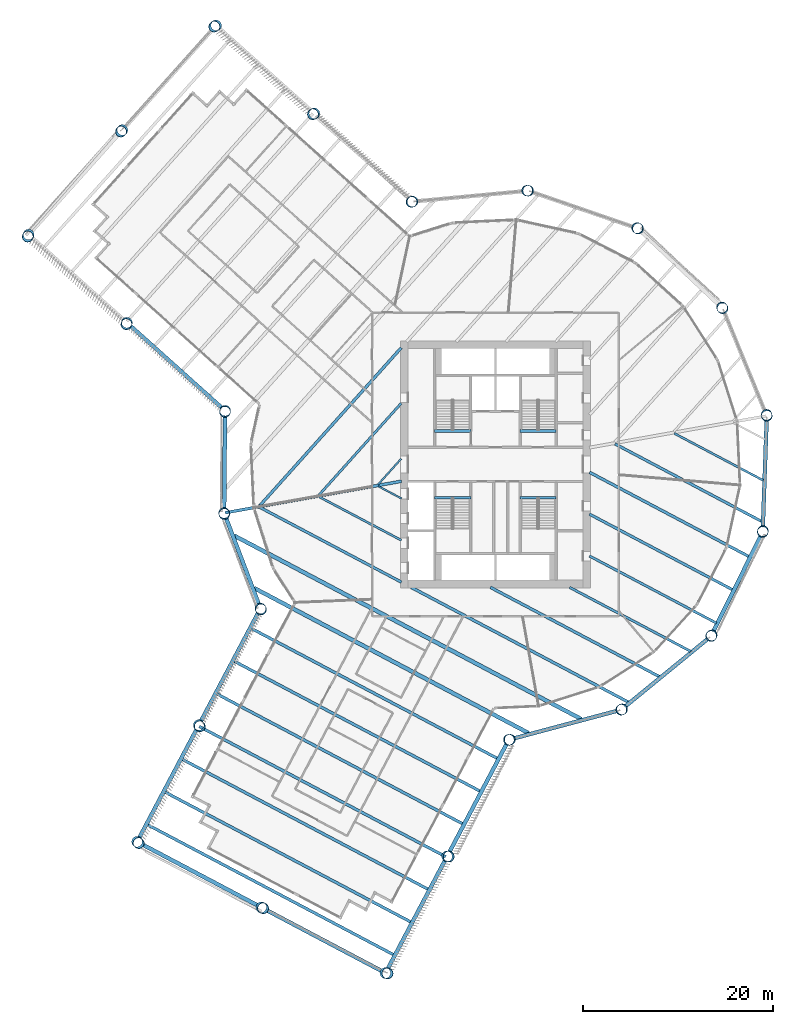
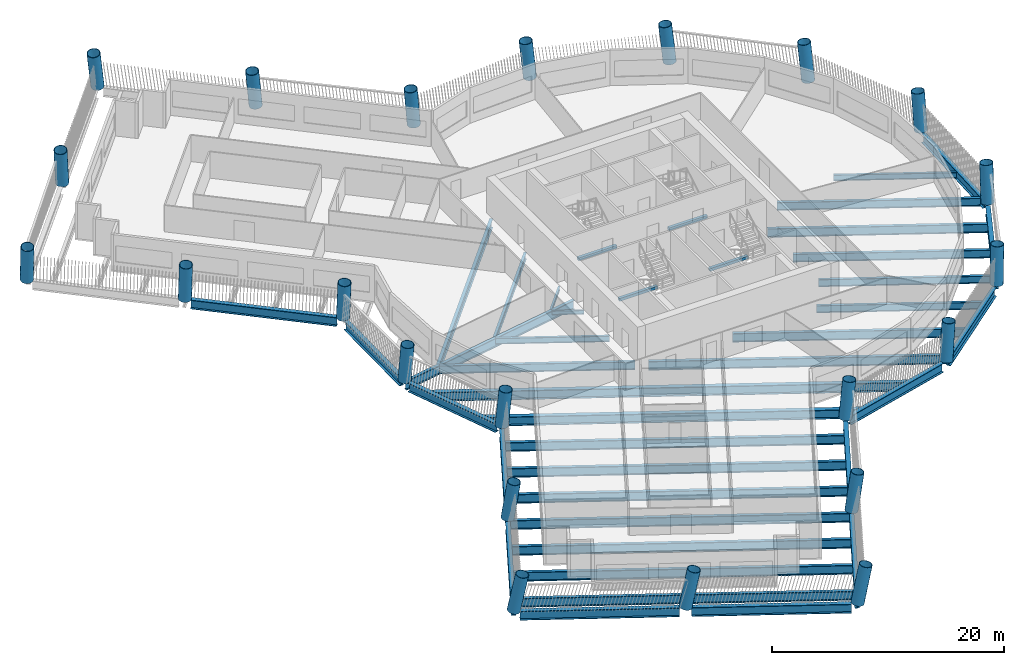
# One storey, part 1 of 16: 41 beams, 22 columns.
"""IFC4 building model written with IfcOpenShell, lengths in metres."""

from ifc_helpers import new_model, si_unit, direction, frame, origin, origin_2d, place, context, subcontext, project, spatial, rectangle, hollow_circle, i_section, extrude, material, material_profile, profile_set, type_object, element, save


model = new_model("IFC4")

# Units and contexts
model_context = context("Model", 3, precision=1e-05, world=origin(), true_north=direction((0.0, 1.0)))
body_context = subcontext(model_context, "Body", "Model", "MODEL_VIEW")
ifc_project = project(units=[si_unit("LENGTHUNIT", "METRE"), si_unit("AREAUNIT", "SQUARE_METRE"), si_unit("VOLUMEUNIT", "CUBIC_METRE"), si_unit("PLANEANGLEUNIT", "RADIAN"), si_unit("MASSUNIT", "GRAM", prefix="KILO")], contexts=[model_context])

# Site, building, storey
site_placement = place(None, origin())
site = spatial("IfcSite", under=ifc_project, at=site_placement, CompositionType="ELEMENT")
building_placement = place(site_placement, origin())
building = spatial("IfcBuilding", under=site, at=building_placement, Name="Tarsis Ring Headquarters", CompositionType="ELEMENT")
storey_placement = place(building_placement, frame((0.0, 0.0, 96.699951171875)))
storey = spatial("IfcBuildingStorey", under=building, at=storey_placement, Name="L21", CompositionType="ELEMENT", Elevation=96.699951171875)

# Columns
ifc_material_1 = material(Name="Structural steel S355", Category="steel")
ifc_material_profile_1 = material_profile(ifc_material_1, hollow_circle(Radius=0.584228515625, WallThickness=0.044921875, at=origin_2d()), Name="CHS 1168x45")
ifc_profile_set_1 = profile_set([ifc_material_profile_1], Name="Structural steel S355")
column_type = type_object("IfcColumnType", Name="XC Exo column CHS 1168x45", PredefinedType="COLUMN", material=ifc_profile_set_1)
for number, where, z_axis, x_axis, name in (
    (1, (-28.5947265625, -5.1142578125, 0.0009765625), (0.018443632446, -0.099196833966, 0.994896889408), (0.983150703769, 0.18279686452, 0.0), "Exo column XC3 F1"),
    (2, (-24.76513671875, -15.18212890625, 0.0009765625), (0.053274726029, -0.085675728993, 0.994897719883), (0.849210474947, 0.528054513512, 0.0), "Exo column XC3 AK"),
):
    element("IfcColumn", number, at=place(storey_placement, frame(where, z_axis=z_axis, x_axis=x_axis)), inside=storey, type_object=column_type, Name=name, PredefinedType="COLUMN", context=body_context, shape_type="SweptSolid", body=[
        extrude(hollow_circle(Radius=0.584228515625, WallThickness=0.044921875, at=origin_2d()), origin(), (0.0, 0.0, 1.0), 3.918212890625),
    ])
column_1_placement = place(storey_placement, frame((-31.261962890625, -27.47314453125, 0.001220703125), z_axis=(0.095644638438, -0.107360021889, 0.989608977747), x_axis=(0.746671522478, 0.665192932554, 0.0)))
element("IfcColumn", 3, at=column_1_placement, inside=storey, type_object=column_type, Name="Exo column XC3 AI1", PredefinedType="COLUMN", context=body_context, shape_type="SweptSolid", body=[
    extrude(hollow_circle(Radius=0.584228515625, WallThickness=0.044921875, at=origin_2d()), origin(), (0.0, 0.0, 1.0), 3.938720703125),
])
column_2_placement = place(storey_placement, frame((-37.758544921875, -39.763916015625, 0.00146484375), z_axis=(0.137206950223, -0.128531533191, 0.982167958033), x_axis=(0.683658036806, 0.729802499798, 0.0)))
element("IfcColumn", 4, at=column_2_placement, inside=storey, type_object=column_type, Name="Exo column XC3 AT1", PredefinedType="COLUMN", context=body_context, shape_type="SweptSolid", body=[
    extrude(hollow_circle(Radius=0.584228515625, WallThickness=0.044921875, at=origin_2d()), origin(), (0.0, 0.0, 1.0), 3.968017578125),
])
column_3_placement = place(storey_placement, frame((-24.673828125, -46.68017578125, 0.00146484375), z_axis=(0.160795601647, -0.083601391355, 0.983440685478), x_axis=(0.461299218726, 0.8872446285, 0.0)))
element("IfcColumn", 5, at=column_3_placement, inside=storey, type_object=column_type, Name="Exo column XC3 AT2", PredefinedType="COLUMN", context=body_context, shape_type="SweptSolid", body=[
    extrude(hollow_circle(Radius=0.584228515625, WallThickness=0.044921875, at=origin_2d()), origin(), (0.0, 0.0, 1.0), 3.962890625),
])
column_4_placement = place(storey_placement, frame((-11.58935546875, -53.596435546875, 0.00146484375), z_axis=(0.184029631143, -0.038454871101, 0.982168171827), x_axis=(0.20454231902, 0.978857721903, 0.0)))
element("IfcColumn", 6, at=column_4_placement, inside=storey, type_object=column_type, Name="Exo column XC3 AT3", PredefinedType="COLUMN", context=body_context, shape_type="SweptSolid", body=[
    extrude(hollow_circle(Radius=0.584228515625, WallThickness=0.044921875, at=origin_2d()), origin(), (0.0, 0.0, 1.0), 3.968017578125),
])
column_5_placement = place(storey_placement, frame((-5.0927734375, -41.305419921875, 0.001220703125), z_axis=(0.142816221823, -0.01661230358, 0.989609800959), x_axis=(0.115540427353, 0.993302778435, 0.0)))
element("IfcColumn", 7, at=column_5_placement, inside=storey, type_object=column_type, Name="Exo column XC3 AO1", PredefinedType="COLUMN", context=body_context, shape_type="SweptSolid", body=[
    extrude(hollow_circle(Radius=0.584228515625, WallThickness=0.044921875, at=origin_2d()), origin(), (0.0, 0.0, 1.0), 3.938720703125),
])
for number, where, z_axis, x_axis, name in (
    (8, (1.40380859375, -29.0146484375, 0.0009765625), (0.100754434521, 0.005607853498, 0.994895520094), (-0.055572614926, 0.998454648179, 0.0), "Exo column XC3 AJ"),
    (9, (13.238525390625, -25.8564453125, 0.0009765625), (0.08953843482, 0.046607341159, 0.994892267756), (-0.461721973504, 0.887024700436, 0.0), "Exo column XC3 R1"),
    (10, (22.719482421875, -18.100830078125, 0.0009765625), (0.062309756681, 0.079320320255, 0.994899884922), (-0.786382641851, 0.617739702946, 0.0), "Exo column XC3 R2"),
    (11, (28.16064453125, -7.126953125, 0.0009765625), (0.024113855988, 0.09795085688, 0.994899066029), (-0.971008261935, 0.23904592708, 0.0), "Exo column XC3 R3"),
    (12, (28.5947265625, 5.1142578125, 0.0009765625), (-0.018443632446, 0.099196833966, 0.994896889408), (-0.983150703769, -0.18279686452, 0.0), "Exo column XC3 R4"),
    (13, (23.944580078125, 16.446044921875, 0.0009765625), (-0.05769877521, 0.082747271576, 0.994898859375), (-0.820275223192, -0.571969018581, 0.0), "Exo column XC3 R5"),
    (14, (15.037109375, 24.853759765625, 0.0009765625), (-0.086672882311, 0.051592484942, 0.994900008528), (-0.51149472008, -0.859286419845, 0.0), "Exo column XC3 R6"),
    (15, (3.455810546875, 28.84228515625, 0.0009765625), (-0.100256181885, 0.011278041592, 0.994897735334), (-0.111787149444, -0.993732173787, 0.0), "Exo column XC3 R7"),
    (16, (-8.739990234375, 27.702392578125, 0.0009765625), (-0.096019118638, -0.030967879275, 0.994897642629), (0.306948644581, -0.951726079074, 0.0), "Exo column XC3 BJ"),
):
    element("IfcColumn", number, at=place(storey_placement, frame(where, z_axis=z_axis, x_axis=x_axis)), inside=storey, type_object=column_type, Name=name, PredefinedType="COLUMN", context=body_context, shape_type="SweptSolid", body=[
        extrude(hollow_circle(Radius=0.584228515625, WallThickness=0.044921875, at=origin_2d()), origin(), (0.0, 0.0, 1.0), 3.918212890625),
    ])
column_6_placement = place(storey_placement, frame((-19.093994140625, 36.9794921875, 0.001220703125), z_axis=(-0.127319484081, -0.066821034002, 0.989608356062), x_axis=(0.46471561424, -0.885459992253, 0.0)))
element("IfcColumn", 17, at=column_6_placement, inside=storey, type_object=column_type, Name="Exo column XC3 BO1", PredefinedType="COLUMN", context=body_context, shape_type="SweptSolid", body=[
    extrude(hollow_circle(Radius=0.584228515625, WallThickness=0.044921875, at=origin_2d()), origin(), (0.0, 0.0, 1.0), 3.938720703125),
])
column_7_placement = place(storey_placement, frame((-29.4482421875, 46.256591796875, 0.00146484375), z_axis=(-0.15788133068, -0.10201373588, 0.982174466739), x_axis=(0.542708280666, -0.839921259462, 0.0)))
element("IfcColumn", 18, at=column_7_placement, inside=storey, type_object=column_type, Name="Exo column XC3 BT3", PredefinedType="COLUMN", context=body_context, shape_type="SweptSolid", body=[
    extrude(hollow_circle(Radius=0.584228515625, WallThickness=0.044921875, at=origin_2d()), origin(), (0.0, 0.0, 1.0), 3.968017578125),
])
column_8_placement = place(storey_placement, frame((-39.324462890625, 35.23388671875, 0.00146484375), z_axis=(-0.120011709795, -0.135783269194, 0.983442979191), x_axis=(0.749282006799, -0.662251065901, 0.0)))
element("IfcColumn", 19, at=column_8_placement, inside=storey, type_object=column_type, Name="Exo column XC3 BT2", PredefinedType="COLUMN", context=body_context, shape_type="SweptSolid", body=[
    extrude(hollow_circle(Radius=0.584228515625, WallThickness=0.044921875, at=origin_2d()), origin(), (0.0, 0.0, 1.0), 3.962890625),
])
column_9_placement = place(storey_placement, frame((-49.20068359375, 24.211181640625, 0.00146484375), z_axis=(-0.081831935499, -0.169262898165, 0.982167809306), x_axis=(0.900304069884, -0.435261509613, 0.0)))
element("IfcColumn", 20, at=column_9_placement, inside=storey, type_object=column_type, Name="Exo column XC3 BT1", PredefinedType="COLUMN", context=body_context, shape_type="SweptSolid", body=[
    extrude(hollow_circle(Radius=0.584228515625, WallThickness=0.044921875, at=origin_2d()), origin(), (0.0, 0.0, 1.0), 3.968017578125),
])
column_10_placement = place(storey_placement, frame((-38.846435546875, 14.93408203125, 0.001220703125), z_axis=(-0.050704933508, -0.134510642681, 0.989614014009), x_axis=(0.935725286719, -0.35272962421, 0.0)))
element("IfcColumn", 21, at=column_10_placement, inside=storey, type_object=column_type, Name="Exo column XC3 BI1", PredefinedType="COLUMN", context=body_context, shape_type="SweptSolid", body=[
    extrude(hollow_circle(Radius=0.584228515625, WallThickness=0.044921875, at=origin_2d()), origin(), (0.0, 0.0, 1.0), 3.938720703125),
])
column_11_placement = place(storey_placement, frame((-28.492431640625, 5.656982421875, 0.0009765625), z_axis=(-0.018942166509, -0.099072515623, 0.994899910029), x_axis=(0.982208563973, -0.187793335502, 0.0)))
element("IfcColumn", 22, at=column_11_placement, inside=storey, type_object=column_type, Name="Exo column XC3 BK", PredefinedType="COLUMN", context=body_context, shape_type="SweptSolid", body=[
    extrude(hollow_circle(Radius=0.584228515625, WallThickness=0.044921875, at=origin_2d()), origin(), (0.0, 0.0, 1.0), 3.918212890625),
])

# Beams
ifc_material_profile_2 = material_profile(ifc_material_1, i_section(OverallWidth=0.177734375, OverallDepth=0.406494140625, WebThickness=0.0078125, FlangeThickness=0.0126953125, at=origin_2d()), Name="W16x40")
ifc_profile_set_2 = profile_set([ifc_material_profile_2], Name="Structural steel S355")
beam_type_1 = type_object("IfcBeamType", Name="FB Floor beam W16x40", PredefinedType="JOIST", material=ifc_profile_set_2)
beam_1_placement = place(storey_placement, frame((-12.33740234375, -2.30126953125, -0.363037109375), z_axis=(0.884090739008, -0.46731527388, 0.0), x_axis=(0.46731527388, 0.884090739008, 0.0)))
element("IfcBeam", 23, at=beam_1_placement, inside=storey, type_object=beam_type_1, Name="Floor beam FB1", PredefinedType="JOIST", context=body_context, shape_type="SweptSolid", body=[
    extrude(i_section(OverallWidth=0.177734375, OverallDepth=0.406494140625, WebThickness=0.0078125, FlangeThickness=0.0126953125, at=origin_2d()), origin(), (0.0, 0.0, 1.0), 2.743896484375),
])
beam_2_placement = place(storey_placement, frame((-9.933349609375, 0.602294921875, -0.363037109375), z_axis=(-0.667300865464, -0.744788261824, 0.0), x_axis=(0.744788261824, -0.667300865464, 0.0)))
element("IfcBeam", 24, at=beam_2_placement, inside=storey, type_object=beam_type_1, Name="Floor beam FB1", PredefinedType="JOIST", context=body_context, shape_type="SweptSolid", body=[
    extrude(i_section(OverallWidth=0.177734375, OverallDepth=0.406494140625, WebThickness=0.0078125, FlangeThickness=0.0126953125, at=origin_2d()), origin(), (0.0, 0.0, 1.0), 3.651611328125),
])
ifc_material_profile_3 = material_profile(ifc_material_1, i_section(OverallWidth=0.228271484375, OverallDepth=0.607177734375, WebThickness=0.01123046875, FlangeThickness=0.017333984375, at=origin_2d()), Name="W24x76")
ifc_profile_set_3 = profile_set([ifc_material_profile_3], Name="Structural steel S355")
beam_type_2 = type_object("IfcBeamType", Name="FB Floor beam W24x76", PredefinedType="JOIST", material=ifc_profile_set_3)
beam_3_placement = place(storey_placement, frame((18.84130859375, 3.27490234375, -0.463623046875), z_axis=(0.884094126299, -0.467308865573, 0.0), x_axis=(0.467308865573, 0.884094126299, 0.0)))
element("IfcBeam", 25, at=beam_3_placement, inside=storey, type_object=beam_type_2, Name="Floor beam FB4", PredefinedType="JOIST", context=body_context, shape_type="SweptSolid", body=[
    extrude(i_section(OverallWidth=0.228271484375, OverallDepth=0.607177734375, WebThickness=0.01123046875, FlangeThickness=0.017333984375, at=origin_2d()), origin(), (0.0, 0.0, 1.0), 10.62109375),
])
beam_4_placement = place(storey_placement, frame((-18.572998046875, -3.41650390625, -0.463623046875), z_axis=(0.884085968305, -0.467324299225, 0.0), x_axis=(0.467324299225, 0.884085968305, 0.0)))
element("IfcBeam", 26, at=beam_4_placement, inside=storey, type_object=beam_type_2, Name="Floor beam FB4", PredefinedType="JOIST", context=body_context, shape_type="SweptSolid", body=[
    extrude(i_section(OverallWidth=0.228271484375, OverallDepth=0.607177734375, WebThickness=0.01123046875, FlangeThickness=0.017333984375, at=origin_2d()), origin(), (0.0, 0.0, 1.0), 9.796875),
])
ifc_material_profile_4 = material_profile(ifc_material_1, i_section(OverallWidth=0.2529296875, OverallDepth=0.67822265625, WebThickness=0.01171875, FlangeThickness=0.016357421875, at=origin_2d()), Name="W27x84")
ifc_profile_set_4 = profile_set([ifc_material_profile_4], Name="Structural steel S355")
beam_type_3 = type_object("IfcBeamType", Name="FB Floor beam W27x84", PredefinedType="JOIST", material=ifc_profile_set_4)
beam_5_placement = place(storey_placement, frame((-9.933349609375, 6.446533203125, -0.4990234375), z_axis=(-0.667319100246, -0.744771923777, 0.0), x_axis=(0.744771923777, -0.667319100246, 0.0)))
element("IfcBeam", 27, at=beam_5_placement, inside=storey, type_object=beam_type_3, Name="Floor beam FB5", PredefinedType="JOIST", context=body_context, shape_type="SweptSolid", body=[
    extrude(i_section(OverallWidth=0.2529296875, OverallDepth=0.67822265625, WebThickness=0.01171875, FlangeThickness=0.016357421875, at=origin_2d()), origin(), (0.0, 0.0, 1.0), 12.99609375),
])
ifc_material_profile_5 = material_profile(ifc_material_1, i_section(OverallWidth=0.2666015625, OverallDepth=0.7568359375, WebThickness=0.013916015625, FlangeThickness=0.019287109375, at=origin_2d()), Name="W30x108")
ifc_profile_set_5 = profile_set([ifc_material_profile_5], Name="Structural steel S355")
beam_type_4 = type_object("IfcBeamType", Name="FB Floor beam W30x108", PredefinedType="JOIST", material=ifc_profile_set_5)
beam_6_placement = place(storey_placement, frame((9.91162109375, -9.650390625, -0.538330078125), z_axis=(0.884095226165, -0.46730678475, 0.0), x_axis=(0.46730678475, 0.884095226165, 0.0)))
element("IfcBeam", 28, at=beam_6_placement, inside=storey, type_object=beam_type_4, Name="Floor beam FB6", PredefinedType="JOIST", context=body_context, shape_type="SweptSolid", body=[
    extrude(i_section(OverallWidth=0.2666015625, OverallDepth=0.7568359375, WebThickness=0.013916015625, FlangeThickness=0.019287109375, at=origin_2d()), origin(), (0.0, 0.0, 1.0), 15.12158203125),
])
beam_7_placement = place(storey_placement, frame((7.814697265625, -12.953369140625, -0.538330078125), z_axis=(0.884091346634, -0.46731412434, 0.0), x_axis=(0.46731412434, 0.884091346634, 0.0)))
element("IfcBeam", 29, at=beam_7_placement, inside=storey, type_object=beam_type_4, Name="Floor beam FB6", PredefinedType="JOIST", context=body_context, shape_type="SweptSolid", body=[
    extrude(i_section(OverallWidth=0.2666015625, OverallDepth=0.7568359375, WebThickness=0.013916015625, FlangeThickness=0.019287109375, at=origin_2d()), origin(), (0.0, 0.0, 1.0), 14.434814453125),
])
ifc_material_profile_6 = material_profile(ifc_material_1, i_section(OverallWidth=0.2919921875, OverallDepth=0.835693359375, WebThickness=0.013916015625, FlangeThickness=0.018798828125, at=origin_2d()), Name="W33x118")
ifc_profile_set_6 = profile_set([ifc_material_profile_6], Name="Structural steel S355")
beam_type_5 = type_object("IfcBeamType", Name="FB Floor beam W33x118", PredefinedType="JOIST", material=ifc_profile_set_6)
beam_8_placement = place(storey_placement, frame((12.60546875, 2.15966796875, -0.577880859375), z_axis=(0.884090411853, -0.467315892807, 0.0), x_axis=(0.467315892807, 0.884090411853, 0.0)))
element("IfcBeam", 30, at=beam_8_placement, inside=storey, type_object=beam_type_5, Name="Floor beam FB7", PredefinedType="JOIST", context=body_context, shape_type="SweptSolid", body=[
    extrude(i_section(OverallWidth=0.2919921875, OverallDepth=0.835693359375, WebThickness=0.013916015625, FlangeThickness=0.018798828125, at=origin_2d()), origin(), (0.0, 0.0, 1.0), 17.5009765625),
])
beam_9_placement = place(storey_placement, frame((9.91162109375, -5.239013671875, -0.577880859375), z_axis=(0.8840912287, -0.467314347454, 0.0), x_axis=(0.467314347454, 0.8840912287, 0.0)))
element("IfcBeam", 31, at=beam_9_placement, inside=storey, type_object=beam_type_5, Name="Floor beam FB7", PredefinedType="JOIST", context=body_context, shape_type="SweptSolid", body=[
    extrude(i_section(OverallWidth=0.2919921875, OverallDepth=0.835693359375, WebThickness=0.013916015625, FlangeThickness=0.018798828125, at=origin_2d()), origin(), (0.0, 0.0, 1.0), 17.08203125),
])
beam_10_placement = place(storey_placement, frame((-24.808837890625, -4.53173828125, -0.577880859375), z_axis=(0.884088355677, -0.467319782757, 0.0), x_axis=(0.467319782757, 0.884088355677, 0.0)))
element("IfcBeam", 32, at=beam_10_placement, inside=storey, type_object=beam_type_5, Name="Floor beam FB7", PredefinedType="JOIST", context=body_context, shape_type="SweptSolid", body=[
    extrude(i_section(OverallWidth=0.2919921875, OverallDepth=0.835693359375, WebThickness=0.013916015625, FlangeThickness=0.018798828125, at=origin_2d()), origin(), (0.0, 0.0, 1.0), 16.850341796875),
])
ifc_material_profile_7 = material_profile(ifc_material_1, i_section(OverallWidth=0.3046875, OverallDepth=0.904296875, WebThickness=0.01513671875, FlangeThickness=0.02001953125, at=origin_2d()), Name="W36x135")
ifc_profile_set_7 = profile_set([ifc_material_profile_7], Name="Structural steel S355")
beam_type_6 = type_object("IfcBeamType", Name="FB Floor beam W36x135", PredefinedType="JOIST", material=ifc_profile_set_7)
beam_11_placement = place(storey_placement, frame((9.91162109375, -0.82763671875, -0.612060546875), z_axis=(0.884090551351, -0.467315628897, 0.0), x_axis=(0.467315628897, 0.884090551351, 0.0)))
element("IfcBeam", 33, at=beam_11_placement, inside=storey, type_object=beam_type_6, Name="Floor beam FB8", PredefinedType="JOIST", context=body_context, shape_type="SweptSolid", body=[
    extrude(i_section(OverallWidth=0.3046875, OverallDepth=0.904296875, WebThickness=0.01513671875, FlangeThickness=0.02001953125, at=origin_2d()), origin(), (0.0, 0.0, 1.0), 19.042236328125),
])
beam_12_placement = place(storey_placement, frame((-0.531005859375, -12.953369140625, -0.612060546875), z_axis=(0.884093940106, -0.467309217828, 0.0), x_axis=(0.467309217828, 0.884093940106, 0.0)))
element("IfcBeam", 34, at=beam_12_placement, inside=storey, type_object=beam_type_6, Name="Floor beam FB8", PredefinedType="JOIST", context=body_context, shape_type="SweptSolid", body=[
    extrude(i_section(OverallWidth=0.3046875, OverallDepth=0.904296875, WebThickness=0.01513671875, FlangeThickness=0.02001953125, at=origin_2d()), origin(), (0.0, 0.0, 1.0), 20.169189453125),
])
ifc_material_profile_8 = material_profile(ifc_material_1, i_section(OverallWidth=0.3046875, OverallDepth=0.91943359375, WebThickness=0.017333984375, FlangeThickness=0.02783203125, at=origin_2d()), Name="W36x170")
ifc_profile_set_8 = profile_set([ifc_material_profile_8], Name="Structural steel S355")
beam_type_7 = type_object("IfcBeamType", Name="FB Floor beam W36x170", PredefinedType="JOIST", material=ifc_profile_set_8)
beam_13_placement = place(storey_placement, frame((-9.933349609375, 12.291015625, -0.61962890625), z_axis=(-0.667310587838, -0.744779550847, 0.0), x_axis=(0.744779550847, -0.667310587838, 0.0)))
element("IfcBeam", 35, at=beam_13_placement, inside=storey, type_object=beam_type_7, Name="Floor beam FB9", PredefinedType="JOIST", context=body_context, shape_type="SweptSolid", body=[
    extrude(i_section(OverallWidth=0.3046875, OverallDepth=0.91943359375, WebThickness=0.017333984375, FlangeThickness=0.02783203125, at=origin_2d()), origin(), (0.0, 0.0, 1.0), 22.3408203125),
])
ifc_material_profile_9 = material_profile(ifc_material_1, i_section(OverallWidth=0.309814453125, OverallDepth=0.93212890625, WebThickness=0.02099609375, FlangeThickness=0.034423828125, at=origin_2d()), Name="W36x210")
ifc_profile_set_9 = profile_set([ifc_material_profile_9], Name="Structural steel S355")
beam_type_8 = type_object("IfcBeamType", Name="FB Floor beam W36x210", PredefinedType="JOIST", material=ifc_profile_set_9)
beam_14_placement = place(storey_placement, frame((-8.87646484375, -12.953369140625, -0.6259765625), z_axis=(0.88409332711, -0.467310377544, 0.0), x_axis=(0.467310377544, 0.88409332711, 0.0)))
element("IfcBeam", 36, at=beam_14_placement, inside=storey, type_object=beam_type_8, Name="Floor beam FB10", PredefinedType="JOIST", context=body_context, shape_type="SweptSolid", body=[
    extrude(i_section(OverallWidth=0.309814453125, OverallDepth=0.93212890625, WebThickness=0.02099609375, FlangeThickness=0.034423828125, at=origin_2d()), origin(), (0.0, 0.0, 1.0), 25.903564453125),
])
ifc_material_profile_10 = material_profile(ifc_material_1, i_section(OverallWidth=0.309814453125, OverallDepth=0.949951171875, WebThickness=0.0244140625, FlangeThickness=0.0439453125, at=origin_2d()), Name="W36x256")
ifc_profile_set_10 = profile_set([ifc_material_profile_10], Name="Structural steel S355")
beam_type_9 = type_object("IfcBeamType", Name="FB Floor beam W36x256", PredefinedType="JOIST", material=ifc_profile_set_10)
beam_15_placement = place(storey_placement, frame((-25.7431640625, -17.27197265625, -0.635009765625), z_axis=(0.884094400725, -0.46730834639, 0.0), x_axis=(0.46730834639, 0.884094400725, 0.0)))
element("IfcBeam", 37, at=beam_15_placement, inside=storey, type_object=beam_type_9, Name="Floor beam FB11", PredefinedType="JOIST", context=body_context, shape_type="SweptSolid", body=[
    extrude(i_section(OverallWidth=0.309814453125, OverallDepth=0.949951171875, WebThickness=0.0244140625, FlangeThickness=0.0439453125, at=origin_2d()), origin(), (0.0, 0.0, 1.0), 29.375732421875),
])
for number, where, z_axis, x_axis, name in (
    (38, (-27.565673828125, -20.7197265625, -0.635009765625), (0.884090967088, -0.467314842385, 0.0), (0.467314842385, 0.884090967088, 0.0), "Floor beam FB11"),
    (39, (-29.38818359375, -24.167724609375, -0.635009765625), (0.884090967088, -0.467314842385, 0.0), (0.467314842385, 0.884090967088, 0.0), "Floor beam FB11"),
    (40, (-31.210693359375, -27.61572265625, -0.635009765625), (0.884090967088, -0.467314842385, 0.0), (0.467314842385, 0.884090967088, 0.0), "Floor beam FB11"),
    (41, (-33.033203125, -31.063720703125, -0.635009765625), (0.884090967088, -0.467314842385, 0.0), (0.467314842385, 0.884090967088, 0.0), "Floor beam FB11"),
):
    element("IfcBeam", number, at=place(storey_placement, frame(where, z_axis=z_axis, x_axis=x_axis)), inside=storey, type_object=beam_type_9, Name=name, PredefinedType="JOIST", context=body_context, shape_type="SweptSolid", body=[
        extrude(i_section(OverallWidth=0.309814453125, OverallDepth=0.949951171875, WebThickness=0.0244140625, FlangeThickness=0.0439453125, at=origin_2d()), origin(), (0.0, 0.0, 1.0), 29.3759765625),
    ])
for number, where, z_axis, x_axis, name in (
    (42, (-34.855712890625, -34.51171875, -0.635009765625), (0.884094400725, -0.46730834639, 0.0), (0.46730834639, 0.884094400725, 0.0), "Floor beam FB11"),
    (43, (-36.67822265625, -37.959716796875, -0.635009765625), (0.884094400725, -0.46730834639, 0.0), (0.46730834639, 0.884094400725, 0.0), "Floor beam FB11"),
):
    element("IfcBeam", number, at=place(storey_placement, frame(where, z_axis=z_axis, x_axis=x_axis)), inside=storey, type_object=beam_type_9, Name=name, PredefinedType="JOIST", context=body_context, shape_type="SweptSolid", body=[
        extrude(i_section(OverallWidth=0.309814453125, OverallDepth=0.949951171875, WebThickness=0.0244140625, FlangeThickness=0.0439453125, at=origin_2d()), origin(), (0.0, 0.0, 1.0), 29.375732421875),
    ])
beam_type_10 = type_object("IfcBeamType", Name="FB Floor beam W36x256 spine", PredefinedType="BEAM", material=ifc_profile_set_10)
beam_16_placement = place(storey_placement, frame((-9.901611328125, -1.770751953125, -0.635009765625), z_axis=(-0.984378930439, -0.176062833406, 0.0), x_axis=(0.176062833406, -0.984378930439, 0.0)))
element("IfcBeam", 44, at=beam_16_placement, inside=storey, type_object=beam_type_10, Name="Floor beam SB11", PredefinedType="BEAM", context=body_context, shape_type="SweptSolid", body=[
    extrude(i_section(OverallWidth=0.309814453125, OverallDepth=0.949951171875, WebThickness=0.0244140625, FlangeThickness=0.0439453125, at=origin_2d()), origin(), (0.0, 0.0, 1.0), 18.8740234375),
])
ifc_material_profile_11 = material_profile(ifc_material_1, i_section(OverallWidth=0.42431640625, OverallDepth=0.947509765625, WebThickness=0.02392578125, FlangeThickness=0.042724609375, at=origin_2d()), Name="W36x302")
ifc_profile_set_11 = profile_set([ifc_material_profile_11], Name="Structural steel S355")
beam_type_11 = type_object("IfcBeamType", Name="FB Floor beam W36x302", PredefinedType="JOIST", material=ifc_profile_set_11)
beam_17_placement = place(storey_placement, frame((-27.529052734375, -7.50537109375, -0.633544921875), z_axis=(0.884093894956, -0.467309303248, 0.0), x_axis=(0.467309303248, 0.884093894956, 0.0)))
element("IfcBeam", 45, at=beam_17_placement, inside=storey, type_object=beam_type_11, Name="Floor beam FB12", PredefinedType="JOIST", context=body_context, shape_type="SweptSolid", body=[
    extrude(i_section(OverallWidth=0.42431640625, OverallDepth=0.947509765625, WebThickness=0.02392578125, FlangeThickness=0.042724609375, at=origin_2d()), origin(), (0.0, 0.0, 1.0), 41.35302734375),
])
beam_18_placement = place(storey_placement, frame((-25.428955078125, -13.026611328125, -0.633544921875), z_axis=(0.88409115122, -0.467314494035, 0.0), x_axis=(0.467314494035, 0.88409115122, 0.0)))
element("IfcBeam", 46, at=beam_18_placement, inside=storey, type_object=beam_type_11, Name="Floor beam FB12", PredefinedType="JOIST", context=body_context, shape_type="SweptSolid", body=[
    extrude(i_section(OverallWidth=0.42431640625, OverallDepth=0.947509765625, WebThickness=0.02392578125, FlangeThickness=0.042724609375, at=origin_2d()), origin(), (0.0, 0.0, 1.0), 32.704833984375),
])
ifc_material_2 = material(Name="Concrete C40/50", Category="concrete")
ifc_material_profile_12 = material_profile(ifc_material_2, rectangle(XDim=0.300048828125, YDim=0.300048828125, at=origin_2d()), Name="Stair head beam 300x300 C40/50")
ifc_profile_set_12 = profile_set([ifc_material_profile_12], Name="Concrete C40/50")
beam_type_12 = type_object("IfcBeamType", Name="Stair head beam 300x300 C40/50", PredefinedType="BEAM", material=ifc_profile_set_12)
for number, where, z_axis, x_axis, name in (
    (47, (-6.39990234375, 3.510009765625, -0.31005859375), (1.0, 0.0, 0.0), (0.0, 1.0, 0.0), "Stair head beam L21 Firefighting stair"),
    (48, (2.60009765625, 3.510009765625, -0.31005859375), (1.0, 0.0, 0.0), (0.0, 1.0, 0.0), "Stair head beam L21 Exit stair B"),
    (49, (-6.39990234375, -3.510009765625, -0.31005859375), (1.0, 0.0, 0.0), (0.0, 1.0, 0.0), "Stair head beam L21 Exit stair C"),
    (50, (2.60009765625, -3.510009765625, -0.31005859375), (1.0, 0.0, 0.0), (0.0, 1.0, 0.0), "Stair head beam L21 Exit stair D"),
):
    element("IfcBeam", number, at=place(storey_placement, frame(where, z_axis=z_axis, x_axis=x_axis)), inside=storey, type_object=beam_type_12, Name=name, PredefinedType="BEAM", context=body_context, shape_type="SweptSolid", body=[
        extrude(rectangle(XDim=0.300048828125, YDim=0.300048828125, at=origin_2d()), origin(), (0.0, 0.0, 1.0), 3.7998046875),
    ])
beam_type_13 = type_object("IfcBeamType", Name="XG Ring girder W36x302", PredefinedType="BEAM", material=ifc_profile_set_11)
beam_19_placement = place(storey_placement, frame((-28.407958984375, -5.60546875, -0.4736328125), z_axis=(0.355526322394, -0.934666268828, 0.0), x_axis=(0.934666268828, 0.355526322394, 0.0)))
element("IfcBeam", 51, at=beam_19_placement, inside=storey, type_object=beam_type_13, Name="Ring girder XG1", PredefinedType="BEAM", context=body_context, shape_type="SweptSolid", body=[
    extrude(i_section(OverallWidth=0.42431640625, OverallDepth=0.947509765625, WebThickness=0.02392578125, FlangeThickness=0.042724609375, at=origin_2d()), origin(), (0.0, 0.0, 1.0), 9.72021484375),
])
beam_20_placement = place(storey_placement, frame((-25.010986328125, -15.64697265625, -0.4736328125), z_axis=(-0.467321114399, -0.884087651784, 0.0), x_axis=(0.884087651784, -0.467321114399, 0.0)))
element("IfcBeam", 52, at=beam_20_placement, inside=storey, type_object=beam_type_13, Name="Ring girder XG1", PredefinedType="BEAM", context=body_context, shape_type="SweptSolid", body=[
    extrude(i_section(OverallWidth=0.42431640625, OverallDepth=0.947509765625, WebThickness=0.02392578125, FlangeThickness=0.042724609375, at=origin_2d()), origin(), (0.0, 0.0, 1.0), 12.8505859375),
])
beam_21_placement = place(storey_placement, frame((-31.507568359375, -27.937744140625, -0.4736328125), z_axis=(-0.467313265296, -0.884091800708, 0.0), x_axis=(0.884091800708, -0.467313265296, 0.0)))
element("IfcBeam", 53, at=beam_21_placement, inside=storey, type_object=beam_type_13, Name="Ring girder XG1", PredefinedType="BEAM", context=body_context, shape_type="SweptSolid", body=[
    extrude(i_section(OverallWidth=0.42431640625, OverallDepth=0.947509765625, WebThickness=0.02392578125, FlangeThickness=0.042724609375, at=origin_2d()), origin(), (0.0, 0.0, 1.0), 12.850830078125),
])
beam_22_placement = place(storey_placement, frame((-37.2939453125, -40.009521484375, -0.4736328125), z_axis=(0.884094835489, -0.467307523866, 0.0), x_axis=(0.467307523866, 0.884094835489, 0.0)))
element("IfcBeam", 54, at=beam_22_placement, inside=storey, type_object=beam_type_13, Name="Ring girder XG1", PredefinedType="BEAM", context=body_context, shape_type="SweptSolid", body=[
    extrude(i_section(OverallWidth=0.42431640625, OverallDepth=0.947509765625, WebThickness=0.02392578125, FlangeThickness=0.042724609375, at=origin_2d()), origin(), (0.0, 0.0, 1.0), 13.74853515625),
])
beam_23_placement = place(storey_placement, frame((-24.209228515625, -46.92578125, -0.4736328125), z_axis=(0.88409095757, -0.467314860391, 0.0), x_axis=(0.467314860391, 0.88409095757, 0.0)))
element("IfcBeam", 55, at=beam_23_placement, inside=storey, type_object=beam_type_13, Name="Ring girder XG1", PredefinedType="BEAM", context=body_context, shape_type="SweptSolid", body=[
    extrude(i_section(OverallWidth=0.42431640625, OverallDepth=0.947509765625, WebThickness=0.02392578125, FlangeThickness=0.042724609375, at=origin_2d()), origin(), (0.0, 0.0, 1.0), 13.748291015625),
])
for number, where, z_axis, x_axis, name in (
    (56, (-11.34375, -53.13134765625, -0.4736328125), (0.467306264892, 0.884095500946, 0.0), (-0.884095500946, 0.467306264892, 0.0), "Ring girder XG1"),
    (57, (-4.84716796875, -40.840576171875, -0.4736328125), (0.467321114399, 0.884087651784, 0.0), (-0.884087651784, 0.467321114399, 0.0), "Ring girder XG1"),
):
    element("IfcBeam", number, at=place(storey_placement, frame(where, z_axis=z_axis, x_axis=x_axis)), inside=storey, type_object=beam_type_13, Name=name, PredefinedType="BEAM", context=body_context, shape_type="SweptSolid", body=[
        extrude(i_section(OverallWidth=0.42431640625, OverallDepth=0.947509765625, WebThickness=0.02392578125, FlangeThickness=0.042724609375, at=origin_2d()), origin(), (0.0, 0.0, 1.0), 12.8505859375),
    ])
beam_24_placement = place(storey_placement, frame((1.911865234375, -28.87890625, -0.4736328125), z_axis=(0.966190412925, 0.257829567685, 0.0), x_axis=(-0.257829567685, 0.966190412925, 0.0)))
element("IfcBeam", 58, at=beam_24_placement, inside=storey, type_object=beam_type_13, Name="Ring girder XG1", PredefinedType="BEAM", context=body_context, shape_type="SweptSolid", body=[
    extrude(i_section(OverallWidth=0.42431640625, OverallDepth=0.947509765625, WebThickness=0.02392578125, FlangeThickness=0.042724609375, at=origin_2d()), origin(), (0.0, 0.0, 1.0), 11.197265625),
])
beam_25_placement = place(storey_placement, frame((13.6455078125, -25.523681640625, -0.4736328125), z_axis=(0.774015581856, 0.633166549214, 0.0), x_axis=(-0.633166549214, 0.774015581856, 0.0)))
element("IfcBeam", 59, at=beam_25_placement, inside=storey, type_object=beam_type_13, Name="Ring girder XG1", PredefinedType="BEAM", context=body_context, shape_type="SweptSolid", body=[
    extrude(i_section(OverallWidth=0.42431640625, OverallDepth=0.947509765625, WebThickness=0.02392578125, FlangeThickness=0.042724609375, at=origin_2d()), origin(), (0.0, 0.0, 1.0), 11.197509765625),
])
for number, where, z_axis, x_axis, name in (
    (60, (22.952880859375, -17.6298828125, -0.4736328125), (0.444228364087, 0.895913589885, 0.0), (-0.895913589885, 0.444228364087, 0.0), "Ring girder XG1"),
    (61, (28.17919921875, -6.6015625, -0.4736328125), (0.03545277233, 0.999371352868, 0.0), (-0.999371352868, 0.03545277233, 0.0), "Ring girder XG1"),
):
    element("IfcBeam", number, at=place(storey_placement, frame(where, z_axis=z_axis, x_axis=x_axis)), inside=storey, type_object=beam_type_13, Name=name, PredefinedType="BEAM", context=body_context, shape_type="SweptSolid", body=[
        extrude(i_section(OverallWidth=0.42431640625, OverallDepth=0.947509765625, WebThickness=0.02392578125, FlangeThickness=0.042724609375, at=origin_2d()), origin(), (0.0, 0.0, 1.0), 11.197265625),
    ])
beam_26_placement = place(storey_placement, frame((-38.454833984375, 14.58349609375, -0.4736328125), z_axis=(0.744773566144, -0.667317267252, 0.0), x_axis=(0.667317267252, 0.744773566144, 0.0)))
element("IfcBeam", 62, at=beam_26_placement, inside=storey, type_object=beam_type_13, Name="Ring girder XG1", PredefinedType="BEAM", context=body_context, shape_type="SweptSolid", body=[
    extrude(i_section(OverallWidth=0.42431640625, OverallDepth=0.947509765625, WebThickness=0.02392578125, FlangeThickness=0.042724609375, at=origin_2d()), origin(), (0.0, 0.0, 1.0), 12.8505859375),
])
beam_27_placement = place(storey_placement, frame((-28.497314453125, 5.13134765625, -0.4736328125), z_axis=(-0.009519311455, -0.999954690328, 0.0), x_axis=(0.999954690328, -0.009519311455, 0.0)))
element("IfcBeam", 63, at=beam_27_placement, inside=storey, type_object=beam_type_13, Name="Ring girder XG1", PredefinedType="BEAM", context=body_context, shape_type="SweptSolid", body=[
    extrude(i_section(OverallWidth=0.42431640625, OverallDepth=0.947509765625, WebThickness=0.02392578125, FlangeThickness=0.042724609375, at=origin_2d()), origin(), (0.0, 0.0, 1.0), 9.72021484375),
])

save(model, "model.ifc")
